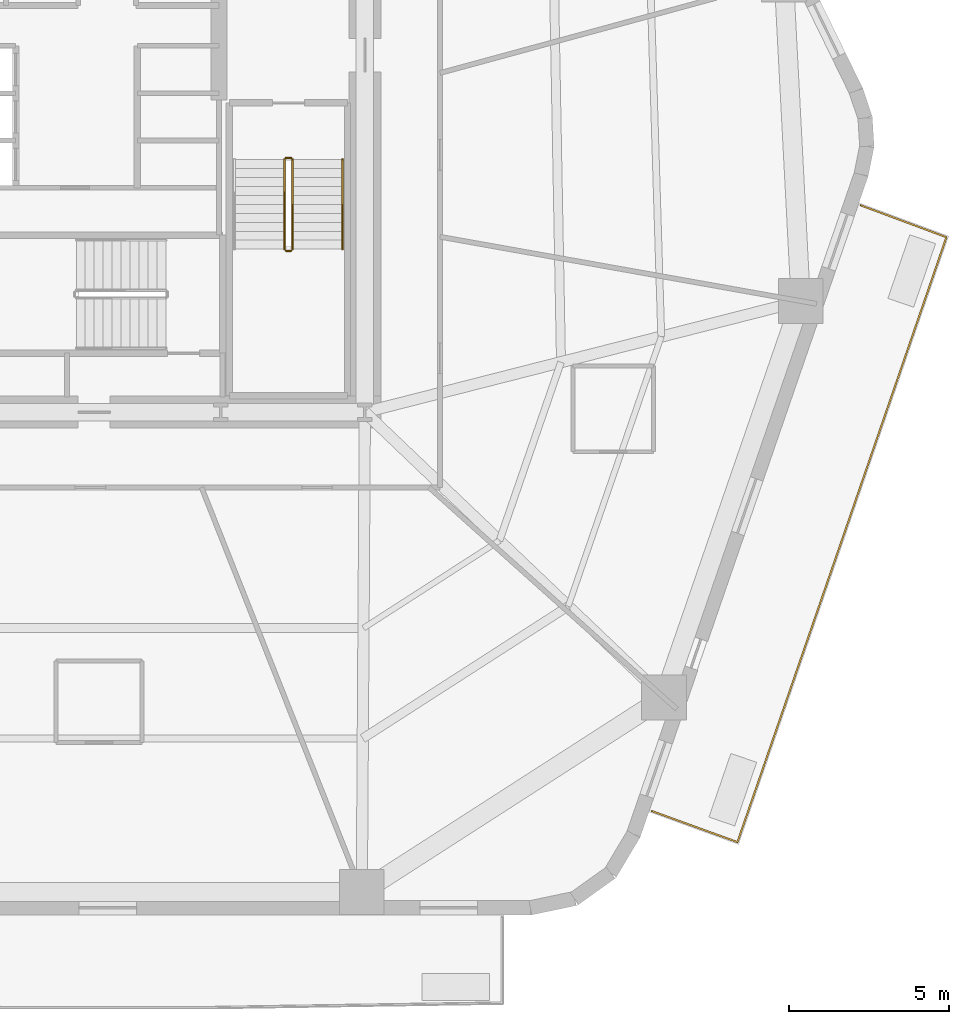
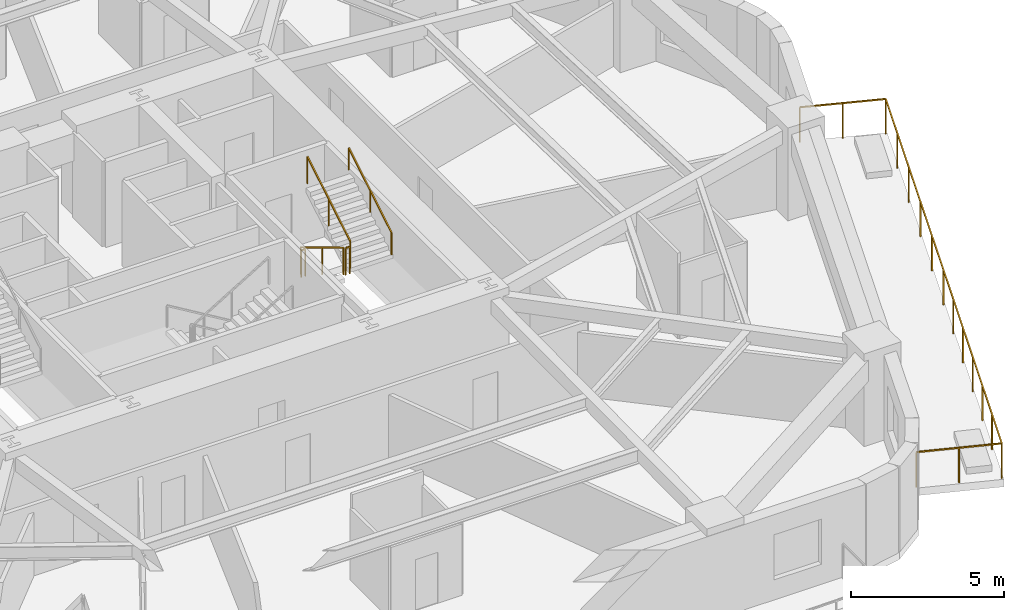
# One storey, part 9 of 10: 6 railings.
"""IFC4 building model written with IfcOpenShell, lengths in metres."""

from ifc_helpers import new_model, si_unit, direction, frame, origin, origin_2d, place, context, subcontext, project, spatial, rectangle, extrude, material, layer, layer_set, type_object, element, save


model = new_model("IFC4")

# Units and contexts
model_context = context("Model", 3, precision=1e-05, world=origin(), true_north=direction((0.0, 1.0)))
body_context = subcontext(model_context, "Body", "Model", "MODEL_VIEW")
ifc_project = project(units=[si_unit("LENGTHUNIT", "METRE"), si_unit("AREAUNIT", "SQUARE_METRE"), si_unit("VOLUMEUNIT", "CUBIC_METRE"), si_unit("PLANEANGLEUNIT", "RADIAN"), si_unit("MASSUNIT", "GRAM", prefix="KILO")], contexts=[model_context])

# Site, building, storey
site_placement = place(None, origin())
site = spatial("IfcSite", under=ifc_project, at=site_placement, CompositionType="ELEMENT")
building_placement = place(site_placement, origin())
building = spatial("IfcBuilding", under=site, at=building_placement, Name="Kilnhurst Terrace Hotel", CompositionType="ELEMENT")
storey_placement = place(building_placement, frame((0.0, 0.0, 71.199951171875)))
storey = spatial("IfcBuildingStorey", under=building, at=storey_placement, Name="L16", CompositionType="ELEMENT", Elevation=71.199951171875)

# Railings
ifc_material_1 = material(Name="Laminated SentryGlas and Stainless Steel AISI 316L Balustrade", Category="steel")
ifc_layer_1 = layer(ifc_material_1, 0.070068359375, Name="Laminated SentryGlas and Stainless Steel AISI 316L Balustrade")
ifc_layer_set_1 = layer_set([ifc_layer_1], Name="Laminated SentryGlas and Stainless Steel AISI 316L Balustrade")
railing_type_1 = type_object("IfcRailingType", Name="RLG-BAL-1420", PredefinedType="BALUSTRADE", material=ifc_layer_set_1)
railing_1_placement = place(storey_placement, frame((24.485107421875, -1.041748046875, 0.0)))
element("IfcRailing", 1, at=railing_1_placement, inside=storey, type_object=railing_type_1, Name="L16 Exterior Terrace Guardrail BAL-L1B.1", PredefinedType="BALUSTRADE", context=body_context, shape_type="SweptSolid", body=[
    extrude(rectangle(XDim=0.048095703125, YDim=0.048095703125, at=origin_2d()), frame((0.0, 0.0, 1.39599609375), z_axis=(0.937279097592, -0.348579823308, 0.0), x_axis=(0.348579823308, 0.937279097592, 0.0)), (0.0, 0.0, 1.0), 2.85205078125),
    extrude(rectangle(XDim=0.048095703125, YDim=0.048095703125, at=origin_2d()), frame((2.673095703125, -0.994140625, 1.39599609375), z_axis=(-0.326159116329, -0.945314884488, 0.0), x_axis=(0.945314884488, -0.326159116329, 0.0)), (0.0, 0.0, 1.0), 9.91650390625),
    extrude(rectangle(XDim=0.048095703125, YDim=0.048095703125, at=origin_2d()), frame((-0.561279296875, -10.368408203125, 1.39599609375), z_axis=(-0.326903959129, -0.945057565181, 0.0), x_axis=(0.945057565181, -0.326903959129, 0.0)), (0.0, 0.0, 1.0), 10.065673828125),
    extrude(rectangle(XDim=0.048095703125, YDim=0.048095703125, at=origin_2d()), frame((-3.851806640625, -19.881103515625, 1.39599609375), z_axis=(-0.939926315563, 0.341377388402, 0.0), x_axis=(-0.341377388402, -0.939926315563, 0.0)), (0.0, 0.0, 1.0), 2.84130859375),
    extrude(rectangle(XDim=0.0419921875, YDim=0.0419921875, at=origin_2d()), origin(), (0.0, 0.0, 1.0), 1.371826171875),
    extrude(rectangle(XDim=0.0419921875, YDim=0.0419921875, at=origin_2d()), frame((1.33642578125, -0.4970703125, 0.0)), (0.0, 0.0, 1.0), 1.371826171875),
    extrude(rectangle(XDim=0.0419921875, YDim=0.0419921875, at=origin_2d()), frame((2.673095703125, -0.994140625, 0.0)), (0.0, 0.0, 1.0), 1.371826171875),
    extrude(rectangle(XDim=0.0419921875, YDim=0.0419921875, at=origin_2d()), frame((2.026123046875, -2.868896484375, 0.0)), (0.0, 0.0, 1.0), 1.371826171875),
    extrude(rectangle(XDim=0.0419921875, YDim=0.0419921875, at=origin_2d()), frame((1.37939453125, -4.743896484375, 0.0)), (0.0, 0.0, 1.0), 1.371826171875),
    extrude(rectangle(XDim=0.0419921875, YDim=0.0419921875, at=origin_2d()), frame((0.732421875, -6.61865234375, 0.0)), (0.0, 0.0, 1.0), 1.371826171875),
    extrude(rectangle(XDim=0.0419921875, YDim=0.0419921875, at=origin_2d()), frame((0.085693359375, -8.49365234375, 0.0)), (0.0, 0.0, 1.0), 1.371826171875),
    extrude(rectangle(XDim=0.0419921875, YDim=0.0419921875, at=origin_2d()), frame((-0.561279296875, -10.368408203125, 0.0)), (0.0, 0.0, 1.0), 1.371826171875),
    extrude(rectangle(XDim=0.0419921875, YDim=0.0419921875, at=origin_2d()), frame((-1.109619140625, -11.953857421875, 0.0)), (0.0, 0.0, 1.0), 1.371826171875),
    extrude(rectangle(XDim=0.0419921875, YDim=0.0419921875, at=origin_2d()), frame((-1.658203125, -13.539306640625, 0.0)), (0.0, 0.0, 1.0), 1.371826171875),
    extrude(rectangle(XDim=0.0419921875, YDim=0.0419921875, at=origin_2d()), frame((-2.20654296875, -15.124755859375, 0.0)), (0.0, 0.0, 1.0), 1.371826171875),
    extrude(rectangle(XDim=0.0419921875, YDim=0.0419921875, at=origin_2d()), frame((-2.7548828125, -16.710205078125, 0.0)), (0.0, 0.0, 1.0), 1.371826171875),
    extrude(rectangle(XDim=0.0419921875, YDim=0.0419921875, at=origin_2d()), frame((-3.303466796875, -18.295654296875, 0.0)), (0.0, 0.0, 1.0), 1.371826171875),
    extrude(rectangle(XDim=0.0419921875, YDim=0.0419921875, at=origin_2d()), frame((-3.851806640625, -19.881103515625, 0.0)), (0.0, 0.0, 1.0), 1.371826171875),
    extrude(rectangle(XDim=0.0419921875, YDim=0.0419921875, at=origin_2d()), frame((-5.18701171875, -19.39599609375, 0.0)), (0.0, 0.0, 1.0), 1.371826171875),
    extrude(rectangle(XDim=0.0419921875, YDim=0.0419921875, at=origin_2d()), frame((-6.5224609375, -18.9111328125, 0.0)), (0.0, 0.0, 1.0), 1.371826171875),
])
ifc_material_2 = material(Name="Powder-Coated Steel ASTM A500 Grade B", Category="steel")
ifc_layer_2 = layer(ifc_material_2, 0.050048828125, Name="Powder-Coated Steel ASTM A500 Grade B")
ifc_layer_set_2 = layer_set([ifc_layer_2], Name="Powder-Coated Steel ASTM A500 Grade B")
railing_type_2 = type_object("IfcRailingType", Name="RLG-ST-GRD-1100", PredefinedType="GUARDRAIL", material=ifc_layer_set_2)
railing_2_placement = place(storey_placement, frame((6.489990234375, 0.389892578125, 0.168212890625)))
element("IfcRailing", 2, at=railing_2_placement, inside=storey, type_object=railing_type_2, Name="L16 ST-2 stair guard 1", PredefinedType="GUARDRAIL", context=body_context, shape_type="SweptSolid", body=[
    extrude(rectangle(XDim=0.048095703125, YDim=0.048095703125, at=origin_2d()), frame((0.0, 0.0, 1.076171875), z_axis=(0.0, -0.857222391501, 0.514946377315), x_axis=(1.0, 0.0, 0.0)), (0.0, 0.0, 1.0), 3.26611328125),
    extrude(rectangle(XDim=0.0419921875, YDim=0.0419921875, at=origin_2d()), origin(), (0.0, 0.0, 1.0), 1.052001953125),
    extrude(rectangle(XDim=0.0419921875, YDim=0.0419921875, at=origin_2d()), frame((0.0, -1.39990234375, 0.8408203125)), (0.0, 0.0, 1.0), 1.052001953125),
    extrude(rectangle(XDim=0.0419921875, YDim=0.0419921875, at=origin_2d()), frame((0.0, -2.7998046875, 1.681884765625)), (0.0, 0.0, 1.0), 1.052001953125),
])
railing_3_placement = place(storey_placement, frame((6.5400390625, -2.4599609375, 1.85009765625)))
element("IfcRailing", 3, at=railing_3_placement, inside=storey, type_object=railing_type_2, Name="L16 ST-2 stair guard 2", PredefinedType="GUARDRAIL", context=body_context, shape_type="SweptSolid", body=[
    extrude(rectangle(XDim=0.048095703125, YDim=0.048095703125, at=origin_2d()), frame((0.0, 0.0, 1.076171875), z_axis=(1.0, 0.0, 0.0), x_axis=(0.0, 1.0, 0.0)), (0.0, 0.0, 1.0), 0.14990234375),
    extrude(rectangle(XDim=0.0419921875, YDim=0.0419921875, at=origin_2d()), origin(), (0.0, 0.0, 1.0), 1.052001953125),
    extrude(rectangle(XDim=0.0419921875, YDim=0.0419921875, at=origin_2d()), frame((0.14990234375, 0.0, 0.0)), (0.0, 0.0, 1.0), 1.052001953125),
])
railing_4_placement = place(storey_placement, frame((6.739990234375, -2.409912109375, 2.018310546875)))
element("IfcRailing", 4, at=railing_4_placement, inside=storey, type_object=railing_type_2, Name="L16 ST-2 stair guard 3", PredefinedType="GUARDRAIL", context=body_context, shape_type="SweptSolid", body=[
    extrude(rectangle(XDim=0.048095703125, YDim=0.048095703125, at=origin_2d()), frame((0.0, 0.0, 1.076171875), z_axis=(0.0, 0.857255387014, 0.514891446264), x_axis=(-1.0, 0.0, 0.0)), (0.0, 0.0, 1.0), 3.26611328125),
    extrude(rectangle(XDim=0.0419921875, YDim=0.0419921875, at=origin_2d()), origin(), (0.0, 0.0, 1.0), 1.052001953125),
    extrude(rectangle(XDim=0.0419921875, YDim=0.0419921875, at=origin_2d()), frame((0.0, 1.39990234375, 0.8408203125)), (0.0, 0.0, 1.0), 1.052001953125),
    extrude(rectangle(XDim=0.0419921875, YDim=0.0419921875, at=origin_2d()), frame((0.0, 2.7998046875, 1.681640625)), (0.0, 0.0, 1.0), 1.052001953125),
])
railing_5_placement = place(storey_placement, frame((6.5400390625, 0.43994140625, 0.0)))
element("IfcRailing", 5, at=railing_5_placement, inside=storey, type_object=railing_type_2, Name="L16 ST-2 stair guard 4", PredefinedType="GUARDRAIL", context=body_context, shape_type="SweptSolid", body=[
    extrude(rectangle(XDim=0.048095703125, YDim=0.048095703125, at=origin_2d()), frame((0.0, 0.0, 1.076171875), z_axis=(1.0, 0.0, 0.0), x_axis=(0.0, 1.0, 0.0)), (0.0, 0.0, 1.0), 0.14990234375),
    extrude(rectangle(XDim=0.0419921875, YDim=0.0419921875, at=origin_2d()), origin(), (0.0, 0.0, 1.0), 1.052001953125),
    extrude(rectangle(XDim=0.0419921875, YDim=0.0419921875, at=origin_2d()), frame((0.14990234375, 0.0, 0.0)), (0.0, 0.0, 1.0), 1.052001953125),
])
ifc_material_3 = material(Name="Brushed Stainless Steel AISI 304", Category="steel")
ifc_layer_3 = layer(ifc_material_3, 0.048095703125, Name="Brushed Stainless Steel AISI 304")
ifc_layer_set_3 = layer_set([ifc_layer_3], Name="Brushed Stainless Steel AISI 304")
railing_type_3 = type_object("IfcRailingType", Name="RLG-ST-HRL-900", PredefinedType="HANDRAIL", material=ifc_layer_set_3)
railing_6_placement = place(storey_placement, frame((8.300048828125, -2.409912109375, 2.018310546875)))
element("IfcRailing", 6, at=railing_6_placement, inside=storey, type_object=railing_type_3, Name="L16 ST-2 stair handrail 2", PredefinedType="HANDRAIL", context=body_context, shape_type="SweptSolid", body=[
    extrude(rectangle(XDim=0.048095703125, YDim=0.048095703125, at=origin_2d()), frame((0.0, 0.0, 0.8759765625), z_axis=(0.0, 0.857255387014, 0.514891446264), x_axis=(-1.0, 0.0, 0.0)), (0.0, 0.0, 1.0), 3.26611328125),
    extrude(rectangle(XDim=0.0419921875, YDim=0.0419921875, at=origin_2d()), origin(), (0.0, 0.0, 1.0), 0.851806640625),
    extrude(rectangle(XDim=0.0419921875, YDim=0.0419921875, at=origin_2d()), frame((0.0, 1.39990234375, 0.8408203125)), (0.0, 0.0, 1.0), 0.851806640625),
    extrude(rectangle(XDim=0.0419921875, YDim=0.0419921875, at=origin_2d()), frame((0.0, 2.7998046875, 1.681640625)), (0.0, 0.0, 1.0), 0.851806640625),
])

save(model, "model.ifc")
